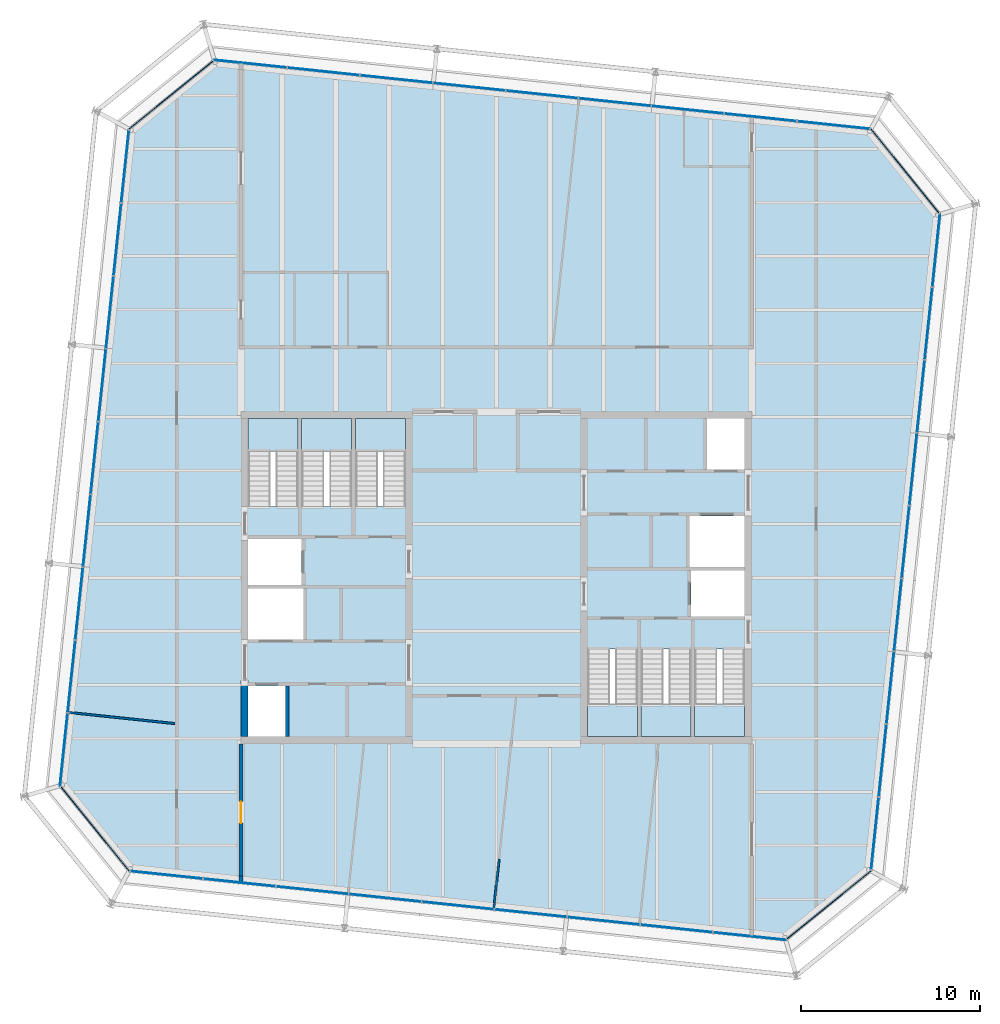
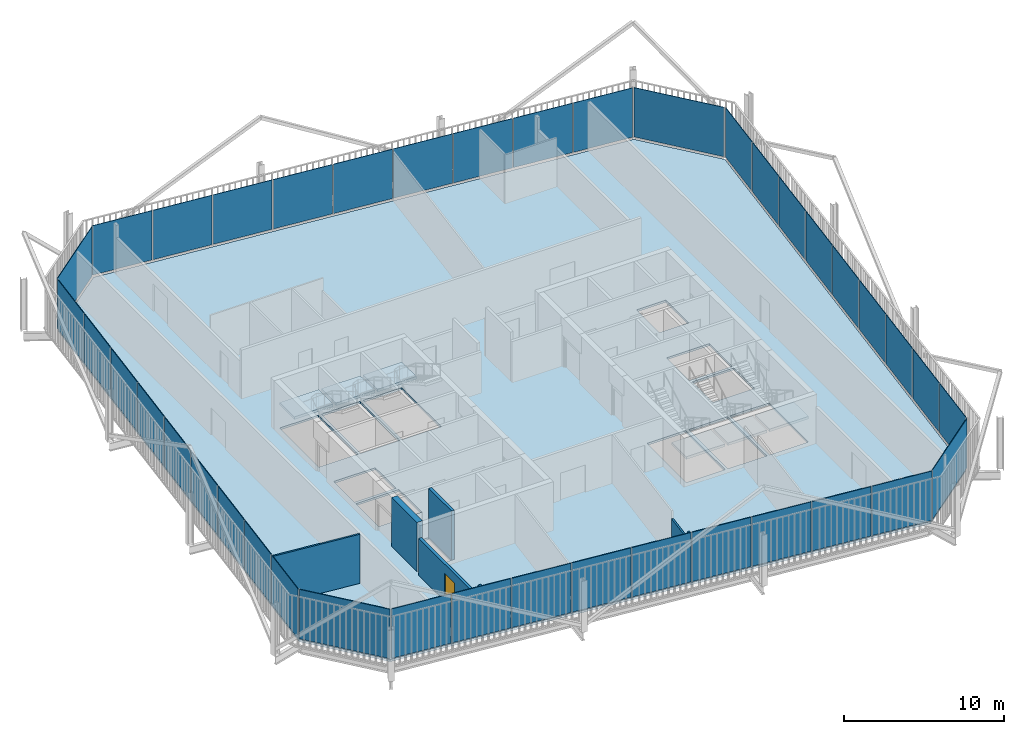
# One storey, part 16 of 21: 40 plates, 7 slabs, 7 walls, 1 door, 1 opening, 14 elements without a shape of their own.
"""IFC4 building model written with IfcOpenShell, lengths in metres."""

from ifc_helpers import new_model, si_unit, direction, frame, frame_2d, origin, place, context, subcontext, project, spatial, polyline, rectangle, outline, extrude, material, layer, layer_set, type_object, element, fill, aggregate, save


model = new_model("IFC4")

# Units and contexts
model_context = context("Model", 3, precision=1e-05, world=origin(), true_north=direction((0.0, 1.0)))
body_context = subcontext(model_context, "Body", "Model", "MODEL_VIEW")
ifc_project = project(units=[si_unit("LENGTHUNIT", "METRE"), si_unit("AREAUNIT", "SQUARE_METRE"), si_unit("VOLUMEUNIT", "CUBIC_METRE"), si_unit("PLANEANGLEUNIT", "RADIAN"), si_unit("MASSUNIT", "GRAM", prefix="KILO")], contexts=[model_context])

# Site, building, storey
site_placement = place(None, origin())
site = spatial("IfcSite", under=ifc_project, at=site_placement, CompositionType="ELEMENT")
building_placement = place(site_placement, origin())
building = spatial("IfcBuilding", under=site, at=building_placement, Name="Millrace Tower", CompositionType="ELEMENT")
storey_placement = place(building_placement, frame((0.0, 0.0, 291.60009765625)))
storey = spatial("IfcBuildingStorey", under=building, at=storey_placement, Name="L67", CompositionType="ELEMENT", Elevation=291.60009765625)

# Curtain wall, plate
ifc_material_1 = material(Name="Aluminium and glass", Category="aluminium")
ifc_layer_1 = layer(ifc_material_1, 0.14990234375)
ifc_layer_set_1 = layer_set([ifc_layer_1], Name="Aluminium and glass")
curtain_wall_type = type_object("IfcCurtainWallType", Name="CW-1 office vision curtain wall", PredefinedType="NOTDEFINED", material=ifc_layer_set_1)
placement_1 = place(storey_placement, origin())
curtain_wall_1 = element("IfcCurtainWall", 1, at=placement_1, inside=storey, type_object=curtain_wall_type, Name="Curtain wall E-F01 L67", PredefinedType="NOTDEFINED")
ifc_material_2 = material(Name="Glass", Category="glass")
ifc_layer_2 = layer(ifc_material_2, 0.0439453125)
ifc_layer_set_2 = layer_set([ifc_layer_2], Name="Glass")
plate_type = type_object("IfcPlateType", Name="CW-1 office vision curtain wall triple-glazed vision panel", PredefinedType="CURTAIN_PANEL", material=ifc_layer_set_2)
placement_2 = place(storey_placement, frame((0.0, 0.0, 0.139892578125)))
plate_1 = element("IfcPlate", 2, at=placement_2, type_object=plate_type, Name="CW1 panel E-F01.1", PredefinedType="CURTAIN_PANEL", context=body_context, shape_type="SweptSolid", body=[
    extrude(outline(polyline([(-24.388427734375, -11.732421875), (-20.5771484375, -16.439208984375), (-20.554443359375, -16.397216796875), (-24.354248046875, -11.704833984375), (-24.388427734375, -11.732421875)])), origin(), (0.0, 0.0, 1.0), 3.760009765625),
])
aggregate(curtain_wall_1, [plate_1])

# Curtain wall, plates
curtain_wall_2 = element("IfcCurtainWall", 3, at=placement_1, inside=storey, type_object=curtain_wall_type, Name="Curtain wall E-F02 L67", PredefinedType="NOTDEFINED")
plate_2 = element("IfcPlate", 4, at=placement_2, type_object=plate_type, Name="CW1 panel E-F02.1", PredefinedType="CURTAIN_PANEL", context=body_context, shape_type="SweptSolid", body=[
    extrude(outline(polyline([(-20.472412109375, -16.4501953125), (-16.45947265625, -16.871826171875), (-16.454833984375, -16.828125), (-20.4677734375, -16.40625), (-20.472412109375, -16.4501953125)])), origin(), (0.0, 0.0, 1.0), 3.760009765625),
])
plate_3 = element("IfcPlate", 5, at=placement_2, type_object=plate_type, Name="CW1 panel E-F02.2", PredefinedType="CURTAIN_PANEL", context=body_context, shape_type="SweptSolid", body=[
    extrude(outline(polyline([(-16.39501953125, -16.878662109375), (-12.382080078125, -17.300537109375), (-12.37744140625, -17.256591796875), (-16.390380859375, -16.8349609375), (-16.39501953125, -16.878662109375)])), origin(), (0.0, 0.0, 1.0), 3.760009765625),
])
plate_4 = element("IfcPlate", 6, at=placement_2, type_object=plate_type, Name="CW1 panel E-F02.3", PredefinedType="CURTAIN_PANEL", context=body_context, shape_type="SweptSolid", body=[
    extrude(outline(polyline([(-12.3173828125, -17.30712890625), (-8.304443359375, -17.72900390625), (-8.2998046875, -17.685302734375), (-12.312744140625, -17.263427734375), (-12.3173828125, -17.30712890625)])), origin(), (0.0, 0.0, 1.0), 3.760009765625),
])
plate_5 = element("IfcPlate", 7, at=placement_2, type_object=plate_type, Name="CW1 panel E-F02.4", PredefinedType="CURTAIN_PANEL", context=body_context, shape_type="SweptSolid", body=[
    extrude(outline(polyline([(-8.23974609375, -17.73583984375), (-4.22705078125, -18.157470703125), (-4.222412109375, -18.11376953125), (-8.235107421875, -17.692138671875), (-8.23974609375, -17.73583984375)])), origin(), (0.0, 0.0, 1.0), 3.760009765625),
])
plate_6 = element("IfcPlate", 8, at=placement_2, type_object=plate_type, Name="CW1 panel E-F02.5", PredefinedType="CURTAIN_PANEL", context=body_context, shape_type="SweptSolid", body=[
    extrude(outline(polyline([(-4.162353515625, -18.164306640625), (-0.1494140625, -18.586181640625), (-0.144775390625, -18.54248046875), (-4.15771484375, -18.12060546875), (-4.162353515625, -18.164306640625)])), origin(), (0.0, 0.0, 1.0), 3.760009765625),
])
plate_7 = element("IfcPlate", 9, at=placement_2, type_object=plate_type, Name="CW1 panel E-F02.6", PredefinedType="CURTAIN_PANEL", context=body_context, shape_type="SweptSolid", body=[
    extrude(outline(polyline([(-0.084716796875, -18.593017578125), (3.92822265625, -19.0146484375), (3.932861328125, -18.970947265625), (-0.080078125, -18.549072265625), (-0.084716796875, -18.593017578125)])), origin(), (0.0, 0.0, 1.0), 3.760009765625),
])
plate_8 = element("IfcPlate", 10, at=placement_2, type_object=plate_type, Name="CW1 panel E-F02.7", PredefinedType="CURTAIN_PANEL", context=body_context, shape_type="SweptSolid", body=[
    extrude(outline(polyline([(3.99267578125, -19.021484375), (8.005615234375, -19.443359375), (8.01025390625, -19.3994140625), (3.997314453125, -18.977783203125), (3.99267578125, -19.021484375)])), origin(), (0.0, 0.0, 1.0), 3.760009765625),
])
plate_9 = element("IfcPlate", 11, at=placement_2, type_object=plate_type, Name="CW1 panel E-F02.8", PredefinedType="CURTAIN_PANEL", context=body_context, shape_type="SweptSolid", body=[
    extrude(outline(polyline([(8.0703125, -19.449951171875), (12.083251953125, -19.871826171875), (12.087890625, -19.828125), (8.074951171875, -19.40625), (8.0703125, -19.449951171875)])), origin(), (0.0, 0.0, 1.0), 3.760009765625),
])
plate_10 = element("IfcPlate", 12, at=placement_2, type_object=plate_type, Name="CW1 panel E-F02.9", PredefinedType="CURTAIN_PANEL", context=body_context, shape_type="SweptSolid", body=[
    extrude(outline(polyline([(12.14794921875, -19.878662109375), (16.20068359375, -20.3046875), (16.187255859375, -20.259033203125), (12.152587890625, -19.8349609375), (12.14794921875, -19.878662109375)])), origin(), (0.0, 0.0, 1.0), 3.760009765625),
])
aggregate(curtain_wall_2, [plate_2, plate_3, plate_4, plate_5, plate_6, plate_7, plate_8, plate_9, plate_10])

# Curtain wall, plate
curtain_wall_3 = element("IfcCurtainWall", 13, at=placement_1, inside=storey, type_object=curtain_wall_type, Name="Curtain wall E-F03 L67", PredefinedType="NOTDEFINED")
plate_11 = element("IfcPlate", 14, at=placement_2, type_object=plate_type, Name="CW1 panel E-F03.1", PredefinedType="CURTAIN_PANEL", context=body_context, shape_type="SweptSolid", body=[
    extrude(outline(polyline([(16.282470703125, -20.23828125), (20.989013671875, -16.427001953125), (20.947265625, -16.404296875), (16.2548828125, -20.2041015625), (16.282470703125, -20.23828125)])), origin(), (0.0, 0.0, 1.0), 3.760009765625),
])
aggregate(curtain_wall_3, [plate_11])

# Curtain wall, plates
curtain_wall_4 = element("IfcCurtainWall", 15, at=placement_1, inside=storey, type_object=curtain_wall_type, Name="Curtain wall E-F04 L67", PredefinedType="NOTDEFINED")
plate_12 = element("IfcPlate", 16, at=placement_2, type_object=plate_type, Name="CW1 panel E-F04.1", PredefinedType="CURTAIN_PANEL", context=body_context, shape_type="SweptSolid", body=[
    extrude(outline(polyline([(21.0, -16.322509765625), (21.421875, -12.3095703125), (21.378173828125, -12.304931640625), (20.956298828125, -16.31787109375), (21.0, -16.322509765625)])), origin(), (0.0, 0.0, 1.0), 3.760009765625),
])
plate_13 = element("IfcPlate", 17, at=placement_2, type_object=plate_type, Name="CW1 panel E-F04.2", PredefinedType="CURTAIN_PANEL", context=body_context, shape_type="SweptSolid", body=[
    extrude(outline(polyline([(21.4287109375, -12.244873046875), (21.850341796875, -8.23193359375), (21.806640625, -8.227294921875), (21.385009765625, -12.240234375), (21.4287109375, -12.244873046875)])), origin(), (0.0, 0.0, 1.0), 3.760009765625),
])
plate_14 = element("IfcPlate", 18, at=placement_2, type_object=plate_type, Name="CW1 panel E-F04.3", PredefinedType="CURTAIN_PANEL", context=body_context, shape_type="SweptSolid", body=[
    extrude(outline(polyline([(21.857177734375, -8.16748046875), (22.279052734375, -4.154541015625), (22.2353515625, -4.14990234375), (21.8134765625, -8.162841796875), (21.857177734375, -8.16748046875)])), origin(), (0.0, 0.0, 1.0), 3.760009765625),
])
plate_15 = element("IfcPlate", 19, at=placement_2, type_object=plate_type, Name="CW1 panel E-F04.4", PredefinedType="CURTAIN_PANEL", context=body_context, shape_type="SweptSolid", body=[
    extrude(outline(polyline([(22.285888671875, -4.08984375), (22.70751953125, -0.076904296875), (22.663818359375, -0.072265625), (22.241943359375, -4.085205078125), (22.285888671875, -4.08984375)])), origin(), (0.0, 0.0, 1.0), 3.760009765625),
])
plate_16 = element("IfcPlate", 20, at=placement_2, type_object=plate_type, Name="CW1 panel E-F04.5", PredefinedType="CURTAIN_PANEL", context=body_context, shape_type="SweptSolid", body=[
    extrude(outline(polyline([(22.71435546875, -0.01220703125), (23.13623046875, 4.00048828125), (23.09228515625, 4.005126953125), (22.670654296875, -0.007568359375), (22.71435546875, -0.01220703125)])), origin(), (0.0, 0.0, 1.0), 3.760009765625),
])
plate_17 = element("IfcPlate", 21, at=placement_2, type_object=plate_type, Name="CW1 panel E-F04.6", PredefinedType="CURTAIN_PANEL", context=body_context, shape_type="SweptSolid", body=[
    extrude(outline(polyline([(23.142822265625, 4.065185546875), (23.564697265625, 8.078125), (23.52099609375, 8.082763671875), (23.09912109375, 4.06982421875), (23.142822265625, 4.065185546875)])), origin(), (0.0, 0.0, 1.0), 3.760009765625),
])
plate_18 = element("IfcPlate", 22, at=placement_2, type_object=plate_type, Name="CW1 panel E-F04.7", PredefinedType="CURTAIN_PANEL", context=body_context, shape_type="SweptSolid", body=[
    extrude(outline(polyline([(23.571533203125, 8.142822265625), (23.9931640625, 12.15576171875), (23.949462890625, 12.160400390625), (23.52783203125, 8.1474609375), (23.571533203125, 8.142822265625)])), origin(), (0.0, 0.0, 1.0), 3.760009765625),
])
plate_19 = element("IfcPlate", 23, at=placement_2, type_object=plate_type, Name="CW1 panel E-F04.8", PredefinedType="CURTAIN_PANEL", context=body_context, shape_type="SweptSolid", body=[
    extrude(outline(polyline([(24.0, 12.22021484375), (24.421875, 16.233154296875), (24.378173828125, 16.23779296875), (23.956298828125, 12.224853515625), (24.0, 12.22021484375)])), origin(), (0.0, 0.0, 1.0), 3.760009765625),
])
plate_20 = element("IfcPlate", 24, at=placement_2, type_object=plate_type, Name="CW1 panel E-F04.9", PredefinedType="CURTAIN_PANEL", context=body_context, shape_type="SweptSolid", body=[
    extrude(outline(polyline([(24.4287109375, 16.2978515625), (24.8544921875, 20.350830078125), (24.808837890625, 20.337158203125), (24.384765625, 16.302490234375), (24.4287109375, 16.2978515625)])), origin(), (0.0, 0.0, 1.0), 3.760009765625),
])
aggregate(curtain_wall_4, [plate_12, plate_13, plate_14, plate_15, plate_16, plate_17, plate_18, plate_19, plate_20])

# Curtain wall, plate
curtain_wall_5 = element("IfcCurtainWall", 25, at=placement_1, inside=storey, type_object=curtain_wall_type, Name="Curtain wall E-F05 L67", PredefinedType="NOTDEFINED")
plate_21 = element("IfcPlate", 26, at=placement_2, type_object=plate_type, Name="CW1 panel E-F05.1", PredefinedType="CURTAIN_PANEL", context=body_context, shape_type="SweptSolid", body=[
    extrude(outline(polyline([(24.788330078125, 20.432373046875), (20.97705078125, 25.13916015625), (20.954345703125, 25.09716796875), (24.754150390625, 20.40478515625), (24.788330078125, 20.432373046875)])), origin(), (0.0, 0.0, 1.0), 3.760009765625),
])
aggregate(curtain_wall_5, [plate_21])

# Curtain wall, plates
curtain_wall_6 = element("IfcCurtainWall", 27, at=placement_1, inside=storey, type_object=curtain_wall_type, Name="Curtain wall E-F06 L67", PredefinedType="NOTDEFINED")
plate_22 = element("IfcPlate", 28, at=placement_2, type_object=plate_type, Name="CW1 panel E-F06.1", PredefinedType="CURTAIN_PANEL", context=body_context, shape_type="SweptSolid", body=[
    extrude(outline(polyline([(20.87255859375, 25.150146484375), (16.859619140625, 25.57177734375), (16.85498046875, 25.528076171875), (20.867919921875, 25.1064453125), (20.87255859375, 25.150146484375)])), origin(), (0.0, 0.0, 1.0), 3.760009765625),
])
plate_23 = element("IfcPlate", 29, at=placement_2, type_object=plate_type, Name="CW1 panel E-F06.2", PredefinedType="CURTAIN_PANEL", context=body_context, shape_type="SweptSolid", body=[
    extrude(outline(polyline([(16.794921875, 25.57861328125), (12.781982421875, 26.00048828125), (12.77734375, 25.956787109375), (16.790283203125, 25.534912109375), (16.794921875, 25.57861328125)])), origin(), (0.0, 0.0, 1.0), 3.760009765625),
])
plate_24 = element("IfcPlate", 30, at=placement_2, type_object=plate_type, Name="CW1 panel E-F06.3", PredefinedType="CURTAIN_PANEL", context=body_context, shape_type="SweptSolid", body=[
    extrude(outline(polyline([(12.71728515625, 26.00732421875), (8.70458984375, 26.428955078125), (8.699951171875, 26.38525390625), (12.712646484375, 25.96337890625), (12.71728515625, 26.00732421875)])), origin(), (0.0, 0.0, 1.0), 3.760009765625),
])
plate_25 = element("IfcPlate", 31, at=placement_2, type_object=plate_type, Name="CW1 panel E-F06.4", PredefinedType="CURTAIN_PANEL", context=body_context, shape_type="SweptSolid", body=[
    extrude(outline(polyline([(8.639892578125, 26.435791015625), (4.626953125, 26.857666015625), (4.622314453125, 26.813720703125), (8.63525390625, 26.39208984375), (8.639892578125, 26.435791015625)])), origin(), (0.0, 0.0, 1.0), 3.760009765625),
])
plate_26 = element("IfcPlate", 32, at=placement_2, type_object=plate_type, Name="CW1 panel E-F06.5", PredefinedType="CURTAIN_PANEL", context=body_context, shape_type="SweptSolid", body=[
    extrude(outline(polyline([(4.562255859375, 26.8642578125), (0.54931640625, 27.2861328125), (0.544677734375, 27.242431640625), (4.5576171875, 26.820556640625), (4.562255859375, 26.8642578125)])), origin(), (0.0, 0.0, 1.0), 3.760009765625),
])
plate_27 = element("IfcPlate", 33, at=placement_2, type_object=plate_type, Name="CW1 panel E-F06.6", PredefinedType="CURTAIN_PANEL", context=body_context, shape_type="SweptSolid", body=[
    extrude(outline(polyline([(0.48486328125, 27.29296875), (-3.528076171875, 27.714599609375), (-3.53271484375, 27.6708984375), (0.480224609375, 27.249267578125), (0.48486328125, 27.29296875)])), origin(), (0.0, 0.0, 1.0), 3.760009765625),
])
plate_28 = element("IfcPlate", 34, at=placement_2, type_object=plate_type, Name="CW1 panel E-F06.7", PredefinedType="CURTAIN_PANEL", context=body_context, shape_type="SweptSolid", body=[
    extrude(outline(polyline([(-3.5927734375, 27.721435546875), (-7.605712890625, 28.143310546875), (-7.6103515625, 28.099609375), (-3.597412109375, 27.677734375), (-3.5927734375, 27.721435546875)])), origin(), (0.0, 0.0, 1.0), 3.760009765625),
])
plate_29 = element("IfcPlate", 35, at=placement_2, type_object=plate_type, Name="CW1 panel E-F06.8", PredefinedType="CURTAIN_PANEL", context=body_context, shape_type="SweptSolid", body=[
    extrude(outline(polyline([(-7.67041015625, 28.150146484375), (-11.68310546875, 28.57177734375), (-11.687744140625, 28.528076171875), (-7.675048828125, 28.106201171875), (-7.67041015625, 28.150146484375)])), origin(), (0.0, 0.0, 1.0), 3.760009765625),
])
plate_30 = element("IfcPlate", 36, at=placement_2, type_object=plate_type, Name="CW1 panel E-F06.9", PredefinedType="CURTAIN_PANEL", context=body_context, shape_type="SweptSolid", body=[
    extrude(outline(polyline([(-11.747802734375, 28.57861328125), (-15.80078125, 29.004638671875), (-15.787109375, 28.958984375), (-11.75244140625, 28.534912109375), (-11.747802734375, 28.57861328125)])), origin(), (0.0, 0.0, 1.0), 3.760009765625),
])
aggregate(curtain_wall_6, [plate_22, plate_23, plate_24, plate_25, plate_26, plate_27, plate_28, plate_29, plate_30])

# Curtain wall, plate
curtain_wall_7 = element("IfcCurtainWall", 37, at=placement_1, inside=storey, type_object=curtain_wall_type, Name="Curtain wall E-F07 L67", PredefinedType="NOTDEFINED")
plate_31 = element("IfcPlate", 38, at=placement_2, type_object=plate_type, Name="CW1 panel E-F07.1", PredefinedType="CURTAIN_PANEL", context=body_context, shape_type="SweptSolid", body=[
    extrude(outline(polyline([(-15.882568359375, 28.9384765625), (-20.589111328125, 25.126953125), (-20.547119140625, 25.104248046875), (-15.854736328125, 28.904296875), (-15.882568359375, 28.9384765625)])), origin(), (0.0, 0.0, 1.0), 3.760009765625),
])
aggregate(curtain_wall_7, [plate_31])

# Curtain wall, plates
curtain_wall_8 = element("IfcCurtainWall", 39, at=placement_1, inside=storey, type_object=curtain_wall_type, Name="Curtain wall E-F08 L67", PredefinedType="NOTDEFINED")
plate_32 = element("IfcPlate", 40, at=placement_2, type_object=plate_type, Name="CW1 panel E-F08.1", PredefinedType="CURTAIN_PANEL", context=body_context, shape_type="SweptSolid", body=[
    extrude(outline(polyline([(-20.60009765625, 25.0224609375), (-21.02197265625, 21.009521484375), (-20.97802734375, 21.0048828125), (-20.556396484375, 25.017822265625), (-20.60009765625, 25.0224609375)])), origin(), (0.0, 0.0, 1.0), 3.760009765625),
])
plate_33 = element("IfcPlate", 41, at=placement_2, type_object=plate_type, Name="CW1 panel E-F08.2", PredefinedType="CURTAIN_PANEL", context=body_context, shape_type="SweptSolid", body=[
    extrude(outline(polyline([(-21.028564453125, 20.94482421875), (-21.450439453125, 16.93212890625), (-21.40673828125, 16.927490234375), (-20.98486328125, 20.9404296875), (-21.028564453125, 20.94482421875)])), origin(), (0.0, 0.0, 1.0), 3.760009765625),
])
plate_34 = element("IfcPlate", 42, at=placement_2, type_object=plate_type, Name="CW1 panel E-F08.3", PredefinedType="CURTAIN_PANEL", context=body_context, shape_type="SweptSolid", body=[
    extrude(outline(polyline([(-21.457275390625, 16.867431640625), (-21.87890625, 12.8544921875), (-21.835205078125, 12.849853515625), (-21.41357421875, 16.86279296875), (-21.457275390625, 16.867431640625)])), origin(), (0.0, 0.0, 1.0), 3.760009765625),
])
plate_35 = element("IfcPlate", 43, at=placement_2, type_object=plate_type, Name="CW1 panel E-F08.4", PredefinedType="CURTAIN_PANEL", context=body_context, shape_type="SweptSolid", body=[
    extrude(outline(polyline([(-21.8857421875, 12.789794921875), (-22.3076171875, 8.77685546875), (-22.263916015625, 8.772216796875), (-21.842041015625, 12.78515625), (-21.8857421875, 12.789794921875)])), origin(), (0.0, 0.0, 1.0), 3.760009765625),
])
plate_36 = element("IfcPlate", 44, at=placement_2, type_object=plate_type, Name="CW1 panel E-F08.5", PredefinedType="CURTAIN_PANEL", context=body_context, shape_type="SweptSolid", body=[
    extrude(outline(polyline([(-22.314453125, 8.71240234375), (-22.736083984375, 4.699462890625), (-22.6923828125, 4.69482421875), (-22.2705078125, 8.707763671875), (-22.314453125, 8.71240234375)])), origin(), (0.0, 0.0, 1.0), 3.760009765625),
])
plate_37 = element("IfcPlate", 45, at=placement_2, type_object=plate_type, Name="CW1 panel E-F08.6", PredefinedType="CURTAIN_PANEL", context=body_context, shape_type="SweptSolid", body=[
    extrude(outline(polyline([(-22.742919921875, 4.634765625), (-23.164794921875, 0.621826171875), (-23.120849609375, 0.6171875), (-22.69921875, 4.630126953125), (-22.742919921875, 4.634765625)])), origin(), (0.0, 0.0, 1.0), 3.760009765625),
])
plate_38 = element("IfcPlate", 46, at=placement_2, type_object=plate_type, Name="CW1 panel E-F08.7", PredefinedType="CURTAIN_PANEL", context=body_context, shape_type="SweptSolid", body=[
    extrude(outline(polyline([(-23.17138671875, 0.55712890625), (-23.59326171875, -3.45556640625), (-23.549560546875, -3.460205078125), (-23.127685546875, 0.552490234375), (-23.17138671875, 0.55712890625)])), origin(), (0.0, 0.0, 1.0), 3.760009765625),
])
plate_39 = element("IfcPlate", 47, at=placement_2, type_object=plate_type, Name="CW1 panel E-F08.8", PredefinedType="CURTAIN_PANEL", context=body_context, shape_type="SweptSolid", body=[
    extrude(outline(polyline([(-23.60009765625, -3.520263671875), (-24.021728515625, -7.533203125), (-23.97802734375, -7.537841796875), (-23.556396484375, -3.52490234375), (-23.60009765625, -3.520263671875)])), origin(), (0.0, 0.0, 1.0), 3.760009765625),
])
plate_40 = element("IfcPlate", 48, at=placement_2, type_object=plate_type, Name="CW1 panel E-F08.9", PredefinedType="CURTAIN_PANEL", context=body_context, shape_type="SweptSolid", body=[
    extrude(outline(polyline([(-24.028564453125, -7.597900390625), (-24.45458984375, -11.650634765625), (-24.408935546875, -11.63720703125), (-23.98486328125, -7.6025390625), (-24.028564453125, -7.597900390625)])), origin(), (0.0, 0.0, 1.0), 3.760009765625),
])
aggregate(curtain_wall_8, [plate_32, plate_33, plate_34, plate_35, plate_36, plate_37, plate_38, plate_39, plate_40])

# Slab
ifc_material_3 = material(Name="Concrete C35 on steel deck", Category="concrete")
ifc_layer_3 = layer(ifc_material_3, 0.159912109375)
ifc_layer_set_3 = layer_set([ifc_layer_3], Name="Concrete C35 on steel deck")
slab_type_1 = type_object("IfcSlabType", Name="Composite floor slab 160 mm", PredefinedType="FLOOR", material=ifc_layer_set_3)
slab_1_placement = place(storey_placement, frame((0.0, 0.0, -0.16015625)))
element("IfcSlab", 49, at=slab_1_placement, inside=storey, type_object=slab_type_1, Name="SL-E-L67-S1", PredefinedType="FLOOR", context=body_context, shape_type="SweptSolid", body=[
    extrude(outline(polyline([(-24.35400390625, -11.620849609375), (-20.52685546875, -16.346923828125), (16.1708984375, -20.203857421875), (20.896728515625, -16.376953125), (24.75390625, 20.32080078125), (20.927001953125, 25.046875), (-15.77099609375, 28.90380859375), (-20.496826171875, 25.076904296875), (-24.35400390625, -11.620849609375)]), holes=[polyline([(-13.89990234375, -8.89990234375), (-11.800048828125, -8.89990234375), (-11.800048828125, -6.050048828125), (-13.89990234375, -6.050048828125), (-13.89990234375, -8.89990234375)]), polyline([(-13.89990234375, -3.449951171875), (-10.800048828125, -3.449951171875), (-10.800048828125, -0.60009765625), (-13.89990234375, -0.60009765625), (-13.89990234375, -3.449951171875)]), polyline([(-13.89990234375, -0.39990234375), (-10.89990234375, -0.39990234375), (-10.89990234375, 2.179931640625), (-13.89990234375, 2.179931640625), (-13.89990234375, -0.39990234375)]), polyline([(-13.89990234375, 4.0), (-11.10009765625, 4.0), (-11.10009765625, 8.89990234375), (-13.89990234375, 8.89990234375), (-13.89990234375, 4.0)]), polyline([(-10.89990234375, 4.0), (-8.10009765625, 4.0), (-8.10009765625, 8.89990234375), (-10.89990234375, 8.89990234375), (-10.89990234375, 4.0)]), polyline([(-7.89990234375, 4.0), (-5.10009765625, 4.0), (-5.10009765625, 8.89990234375), (-7.89990234375, 8.89990234375), (-7.89990234375, 4.0)]), polyline([(11.800048828125, 6.050048828125), (13.89990234375, 6.050048828125), (13.89990234375, 8.89990234375), (11.800048828125, 8.89990234375), (11.800048828125, 6.050048828125)]), polyline([(10.800048828125, 0.60009765625), (13.89990234375, 0.60009765625), (13.89990234375, 3.449951171875), (10.800048828125, 3.449951171875), (10.800048828125, 0.60009765625)]), polyline([(10.89990234375, -2.179931640625), (13.89990234375, -2.179931640625), (13.89990234375, 0.39990234375), (10.89990234375, 0.39990234375), (10.89990234375, -2.179931640625)]), polyline([(11.10009765625, -8.89990234375), (13.89990234375, -8.89990234375), (13.89990234375, -4.0), (11.10009765625, -4.0), (11.10009765625, -8.89990234375)]), polyline([(8.10009765625, -8.89990234375), (10.89990234375, -8.89990234375), (10.89990234375, -4.0), (8.10009765625, -4.0), (8.10009765625, -8.89990234375)]), polyline([(5.10009765625, -8.89990234375), (7.89990234375, -8.89990234375), (7.89990234375, -4.0), (5.10009765625, -4.0), (5.10009765625, -8.89990234375)])]), origin(), (0.0, 0.0, 1.0), 0.16015625),
])

# Stair, slab
ifc_material_4 = material(Name="Concrete C35", Category="concrete")
stair_type = type_object("IfcStairType", Name="Exit stair", PredefinedType="HALF_TURN_STAIR", material=ifc_material_4)
stair_1 = element("IfcStair", 50, at=placement_1, inside=storey, type_object=stair_type, Name="Stair 1 W L67", PredefinedType="HALF_TURN_STAIR")
ifc_material_5 = material(Name="Concrete C40", Category="concrete")
ifc_layer_4 = layer(ifc_material_5, 0.199951171875)
ifc_layer_set_4 = layer_set([ifc_layer_4], Name="Concrete C40")
slab_type_2 = type_object("IfcSlabType", Name="Stair landing", PredefinedType="LANDING", material=ifc_layer_set_4)
placement_3 = place(storey_placement, frame((0.0, 0.0, 1.75)))
slab_2 = element("IfcSlab", 51, at=placement_3, type_object=slab_type_2, Name="ST12 landing 1", PredefinedType="LANDING", context=body_context, shape_type="SweptSolid", body=[
    extrude(outline(polyline([(-13.89990234375, 7.080078125), (-11.10009765625, 7.080078125), (-11.10009765625, 8.89990234375), (-13.89990234375, 8.89990234375), (-13.89990234375, 7.080078125)])), origin(), (0.0, 0.0, 1.0), 0.199951171875),
])
aggregate(stair_1, [slab_2])

stair_2 = element("IfcStair", 52, at=placement_1, inside=storey, type_object=stair_type, Name="Stair 2 W L67", PredefinedType="HALF_TURN_STAIR")
slab_3 = element("IfcSlab", 53, at=placement_3, type_object=slab_type_2, Name="ST12 landing 1", PredefinedType="LANDING", context=body_context, shape_type="SweptSolid", body=[
    extrude(outline(polyline([(-10.89990234375, 7.080078125), (-8.10009765625, 7.080078125), (-8.10009765625, 8.89990234375), (-10.89990234375, 8.89990234375), (-10.89990234375, 7.080078125)])), origin(), (0.0, 0.0, 1.0), 0.199951171875),
])
aggregate(stair_2, [slab_3])

stair_3 = element("IfcStair", 54, at=placement_1, inside=storey, type_object=stair_type, Name="Stair 3 W L67", PredefinedType="HALF_TURN_STAIR")
slab_4 = element("IfcSlab", 55, at=placement_3, type_object=slab_type_2, Name="ST12 landing 1", PredefinedType="LANDING", context=body_context, shape_type="SweptSolid", body=[
    extrude(outline(polyline([(-7.89990234375, 7.080078125), (-5.10009765625, 7.080078125), (-5.10009765625, 8.89990234375), (-7.89990234375, 8.89990234375), (-7.89990234375, 7.080078125)])), origin(), (0.0, 0.0, 1.0), 0.199951171875),
])
aggregate(stair_3, [slab_4])

stair_4 = element("IfcStair", 56, at=placement_1, inside=storey, type_object=stair_type, Name="Stair 1 E L67", PredefinedType="HALF_TURN_STAIR")
slab_5 = element("IfcSlab", 57, at=placement_3, type_object=slab_type_2, Name="ST12 landing 1", PredefinedType="LANDING", context=body_context, shape_type="SweptSolid", body=[
    extrude(outline(polyline([(11.10009765625, -8.89990234375), (13.89990234375, -8.89990234375), (13.89990234375, -7.080078125), (11.10009765625, -7.080078125), (11.10009765625, -8.89990234375)])), origin(), (0.0, 0.0, 1.0), 0.199951171875),
])
aggregate(stair_4, [slab_5])

stair_5 = element("IfcStair", 58, at=placement_1, inside=storey, type_object=stair_type, Name="Stair 2 E L67", PredefinedType="HALF_TURN_STAIR")
slab_6 = element("IfcSlab", 59, at=placement_3, type_object=slab_type_2, Name="ST12 landing 1", PredefinedType="LANDING", context=body_context, shape_type="SweptSolid", body=[
    extrude(outline(polyline([(8.10009765625, -8.89990234375), (10.89990234375, -8.89990234375), (10.89990234375, -7.080078125), (8.10009765625, -7.080078125), (8.10009765625, -8.89990234375)])), origin(), (0.0, 0.0, 1.0), 0.199951171875),
])
aggregate(stair_5, [slab_6])

stair_6 = element("IfcStair", 60, at=placement_1, inside=storey, type_object=stair_type, Name="Stair 3 E L67", PredefinedType="HALF_TURN_STAIR")
slab_7 = element("IfcSlab", 61, at=placement_3, type_object=slab_type_2, Name="ST12 landing 1", PredefinedType="LANDING", context=body_context, shape_type="SweptSolid", body=[
    extrude(outline(polyline([(5.10009765625, -8.89990234375), (7.89990234375, -8.89990234375), (7.89990234375, -7.080078125), (5.10009765625, -7.080078125), (5.10009765625, -8.89990234375)])), origin(), (0.0, 0.0, 1.0), 0.199951171875),
])
aggregate(stair_6, [slab_7])

# Walls
ifc_material_6 = material(Name="Concrete C60", Category="concrete")
ifc_layer_5 = layer(ifc_material_6, 0.39990234375)
ifc_layer_set_5 = layer_set([ifc_layer_5], Name="Concrete C60")
wall_type_1 = type_object("IfcWallType", Name="Core wall 400 Concrete C60", PredefinedType="SHEAR", material=ifc_layer_set_5)
wall_1_placement = place(storey_placement, frame((-14.10009765625, -8.89990234375, 0.0), z_axis=(0.0, 0.0, 1.0), x_axis=(0.0, 1.0, 0.0)))
element("IfcWall", 62, at=wall_1_placement, inside=storey, type_object=wall_type_1, Name="Core wall W L67", PredefinedType="SHEAR", context=body_context, shape_type="SweptSolid", body=[
    extrude(rectangle(XDim=3.14990234375, YDim=0.39990234375, at=frame_2d((1.574951171875, 0.0))), origin(), (0.0, 0.0, 1.0), 3.739990234375),
])
ifc_material_7 = material(Name="Masonry partition, fire-rated", Category="masonry")
ifc_layer_6 = layer(ifc_material_7, 0.199951171875)
ifc_layer_set_6 = layer_set([ifc_layer_6], Name="Masonry partition, fire-rated")
wall_type_2 = type_object("IfcWallType", Name="Corridor wall 200", PredefinedType="PARTITIONING", material=ifc_layer_set_6)
wall_2_placement = place(storey_placement, frame((-14.300048828125, -17.031494140625, 0.0), z_axis=(0.0, 0.0, 1.0), x_axis=(0.0, 1.0, 0.0)))
element("IfcWall", 63, at=wall_2_placement, inside=storey, type_object=wall_type_2, Name="Corridor wall L67", PredefinedType="PARTITIONING", context=body_context, shape_type="SweptSolid", body=[
    extrude(rectangle(XDim=0.339111328125, YDim=0.199951171875, at=frame_2d((0.16943359375, 0.0))), origin(), (0.0, 0.0, 1.0), 3.739990234375),
])

# Wall, opening, door
wall_3_placement = place(storey_placement, frame((-14.300048828125, -16.6923828125, 0.0), z_axis=(0.0, 0.0, 1.0), x_axis=(0.0, 1.0, 0.0)))
wall_3 = element("IfcWall", 64, at=wall_3_placement, inside=storey, type_object=wall_type_2, Name="Corridor wall L67", PredefinedType="PARTITIONING", context=body_context, shape_type="SweptSolid", body=[
    extrude(rectangle(XDim=7.392333984375, YDim=0.199951171875, at=frame_2d((3.6962890625, 0.0))), origin(), (0.0, 0.0, 1.0), 2.812744140625),
])
opening_placement = place(wall_3_placement, frame((2.95166015625, 0.0, 0.0)))
opening = element("IfcOpeningElement", 65, at=opening_placement, cuts=wall_3, Name="Opening 67-P009", PredefinedType="OPENING", context=body_context, shape_type="SweptSolid", body=[
    extrude(rectangle(XDim=1.199951171875, YDim=2.10009765625, at=frame_2d((0.60009765625, 1.050048828125))), frame((0.0, 0.10986328125, 0.0), z_axis=(0.0, -1.0, 0.0), x_axis=(1.0, 0.0, 0.0)), (0.0, 0.0, 1.0), 0.219970703125),
])
ifc_material_8 = material(Name="Steel door set, fire-rated", Category="steel")
door_type = type_object("IfcDoorType", Name="Corridor door 1200 x 2100", OperationType="SINGLE_SWING_LEFT", PredefinedType="DOOR", material=ifc_material_8)
door_placement = place(opening_placement, frame((1.199951171875, 0.0, 0.0), z_axis=(0.0, 0.0, 1.0), x_axis=(-1.0, 0.0, 0.0)))
door = element("IfcDoor", 66, at=door_placement, inside=storey, type_object=door_type, Name="Door 67-P009", OperationType="SINGLE_SWING_LEFT", OverallHeight=2.10009765625, OverallWidth=1.199951171875, PredefinedType="DOOR", context=body_context, shape_type="SweptSolid", body=[
    extrude(rectangle(XDim=1.199951171875, YDim=2.10009765625, at=frame_2d((0.60009765625, 1.050048828125))), frame((0.0, 0.02490234375, 0.0), z_axis=(0.0, -1.0, 0.0), x_axis=(1.0, 0.0, 0.0)), (0.0, 0.0, 1.0), 0.050048828125),
])
fill(opening, door)

# Walls
ifc_material_9 = material(Name="Masonry partition, fire-rated", Category="masonry")
ifc_layer_7 = layer(ifc_material_9, 0.199951171875)
ifc_layer_set_7 = layer_set([ifc_layer_7], Name="Masonry partition, fire-rated")
wall_type_3 = type_object("IfcWallType", Name="Lift shaft wall 200", PredefinedType="PARTITIONING", material=ifc_layer_set_7)
wall_4_placement = place(storey_placement, frame((-11.699951171875, -8.89990234375, 0.0), z_axis=(0.0, 0.0, 1.0), x_axis=(0.0, 1.0, 0.0)))
element("IfcWall", 67, at=wall_4_placement, inside=storey, type_object=wall_type_3, Name="Lift shaft wall W L67", PredefinedType="PARTITIONING", context=body_context, shape_type="SweptSolid", body=[
    extrude(rectangle(XDim=2.849853515625, YDim=0.199951171875, at=frame_2d((1.4248046875, 0.0))), origin(), (0.0, 0.0, 1.0), 3.739990234375),
])
ifc_material_10 = material(Name="Gypsum board partition")
ifc_layer_8 = layer(ifc_material_10, 0.1201171875)
ifc_layer_set_8 = layer_set([ifc_layer_8], Name="Gypsum board partition")
wall_type_4 = type_object("IfcWallType", Name="Partition wall 120", PredefinedType="PARTITIONING", material=ifc_layer_set_8)
wall_5_placement = place(storey_placement, frame((-23.955078125, -7.539794921875, 0.0), z_axis=(0.0, 0.0, 1.0), x_axis=(0.994508803254, -0.104652951462, 0.0)))
element("IfcWall", 68, at=wall_5_placement, inside=storey, type_object=wall_type_4, Name="Partition wall L67", PredefinedType="PARTITIONING", context=body_context, shape_type="SweptSolid", body=[
    extrude(rectangle(XDim=5.988525390625, YDim=0.1201171875, at=frame_2d((2.994140625, 0.0))), origin(), (0.0, 0.0, 1.0), 3.739990234375),
])
wall_6_placement = place(storey_placement, frame((-0.142822265625, -18.51953125, 0.0), z_axis=(0.0, 0.0, 1.0), x_axis=(0.104142656506, 0.994562369636, 0.0)))
element("IfcWall", 69, at=wall_6_placement, inside=storey, type_object=wall_type_4, Name="Partition wall L67", PredefinedType="PARTITIONING", context=body_context, shape_type="SweptSolid", body=[
    extrude(rectangle(XDim=0.328125, YDim=0.1201171875, at=frame_2d((0.1640625, 0.0))), origin(), (0.0, 0.0, 1.0), 3.739990234375),
])
wall_7_placement = place(storey_placement, frame((-0.108642578125, -18.193115234375, 0.0), z_axis=(0.0, 0.0, 1.0), x_axis=(0.104560846854, 0.994518491183, 0.0)))
element("IfcWall", 70, at=wall_7_placement, inside=storey, type_object=wall_type_4, Name="Partition wall L67", PredefinedType="PARTITIONING", context=body_context, shape_type="SweptSolid", body=[
    extrude(rectangle(XDim=2.4609375, YDim=0.1201171875, at=frame_2d((1.23046875, 0.0))), origin(), (0.0, 0.0, 1.0), 3.140380859375),
])

save(model, "model.ifc")
